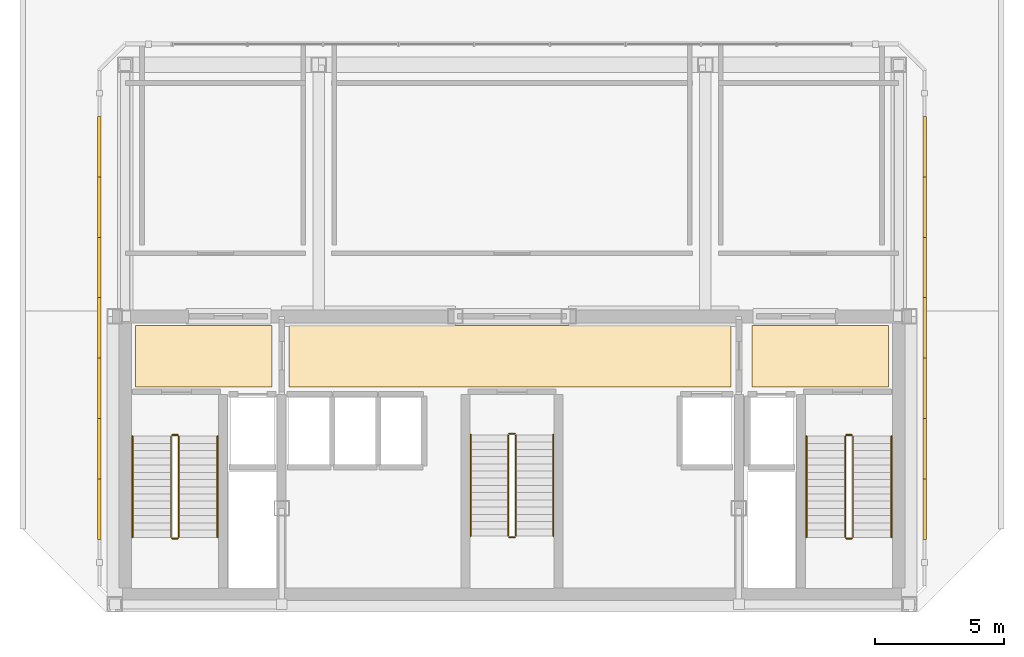
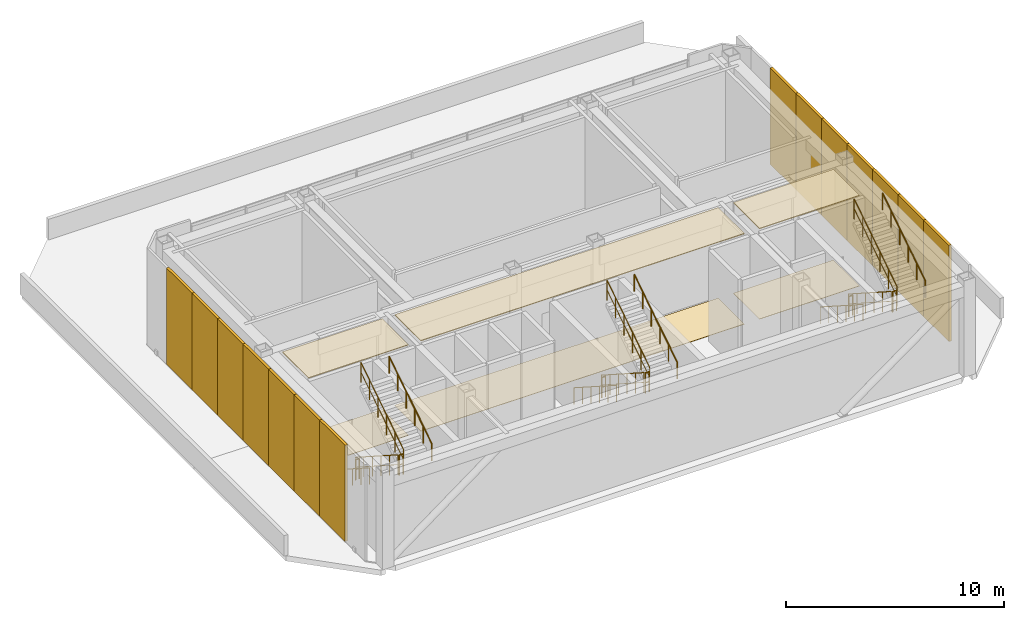
# One storey, part 11 of 11: 18 railings, 14 shading devices, 6 coverings.
"""IFC4 building model written with IfcOpenShell, lengths in metres."""

from ifc_helpers import new_model, si_unit, direction, frame, origin, origin_2d, place, context, subcontext, project, spatial, polyline, rectangle, circle, outline, extrude, material, layer, layer_set, type_object, element, save


model = new_model("IFC4")

# Units and contexts
model_context = context("Model", 3, precision=1e-05, world=origin(), true_north=direction((0.0, 1.0)))
body_context = subcontext(model_context, "Body", "Model", "MODEL_VIEW")
ifc_project = project(units=[si_unit("LENGTHUNIT", "METRE"), si_unit("AREAUNIT", "SQUARE_METRE"), si_unit("VOLUMEUNIT", "CUBIC_METRE"), si_unit("PLANEANGLEUNIT", "RADIAN"), si_unit("MASSUNIT", "GRAM", prefix="KILO")], contexts=[model_context])

# Site, building, storey
site_placement = place(None, origin())
site = spatial("IfcSite", under=ifc_project, at=site_placement, CompositionType="ELEMENT")
building_placement = place(site_placement, origin())
building = spatial("IfcBuilding", under=site, at=building_placement, Name="Ventersveld Concourse Tower", CompositionType="ELEMENT")
storey_placement = place(building_placement, frame((0.0, 0.0, 366.64990234375)))
storey = spatial("IfcBuildingStorey", under=building, at=storey_placement, Name="L90", CompositionType="ELEMENT", Elevation=366.64990234375)

# Coverings
ifc_material_1 = material(Name="Mineral-fibre acoustic ceiling tile", Category="gypsum")
ifc_layer_1 = layer(ifc_material_1, 0.0400390625)
ifc_layer_set_1 = layer_set([ifc_layer_1], Name="Mineral-fibre acoustic ceiling tile")
covering_type_1 = type_object("IfcCoveringType", Name="COV-CEIL-ACOUSTIC", PredefinedType="CEILING", material=ifc_layer_set_1)
covering_1_placement = place(storey_placement, frame((0.0, 0.0, 5.06005859375)))
element("IfcCovering", 1, at=covering_1_placement, inside=storey, type_object=covering_type_1, Name="L90 North Lift Lobby Acoustic Ceiling", PredefinedType="CEILING", context=body_context, shape_type="SweptSolid", body=[
    extrude(outline(polyline([(20.10009765625, 8.699951171875), (37.25, 8.699951171875), (37.25, 11.10009765625), (20.10009765625, 11.10009765625), (20.10009765625, 8.699951171875)])), origin(), (0.0, 0.0, 1.0), 0.0400390625),
])
covering_2_placement = place(storey_placement, frame((0.0, 0.0, 5.06005859375)))
element("IfcCovering", 2, at=covering_2_placement, inside=storey, type_object=covering_type_1, Name="L90 West Firefighting Lobby Acoustic Ceiling", PredefinedType="CEILING", context=body_context, shape_type="SweptSolid", body=[
    extrude(outline(polyline([(14.14990234375, 8.699951171875), (19.449951171875, 8.699951171875), (19.449951171875, 11.10009765625), (14.14990234375, 11.10009765625), (14.14990234375, 8.699951171875)])), origin(), (0.0, 0.0, 1.0), 0.0400390625),
])
covering_3_placement = place(storey_placement, frame((0.0, 0.0, 5.06005859375)))
element("IfcCovering", 3, at=covering_3_placement, inside=storey, type_object=covering_type_1, Name="L90 East Firefighting Lobby Acoustic Ceiling", PredefinedType="CEILING", context=body_context, shape_type="SweptSolid", body=[
    extrude(outline(polyline([(38.050048828125, 8.699951171875), (43.35009765625, 8.699951171875), (43.35009765625, 11.10009765625), (38.050048828125, 11.10009765625), (38.050048828125, 8.699951171875)])), origin(), (0.0, 0.0, 1.0), 0.0400390625),
])
ifc_material_2 = material(Name="Polished Highveld granite terrazzo", Category="masonry")
ifc_layer_2 = layer(ifc_material_2, 0.02001953125)
ifc_layer_set_2 = layer_set([ifc_layer_2], Name="Polished Highveld granite terrazzo")
covering_type_2 = type_object("IfcCoveringType", Name="COV-FLOOR-TERRAZZO", PredefinedType="FLOORING", material=ifc_layer_set_2)
covering_4_placement = place(storey_placement, origin())
element("IfcCovering", 4, at=covering_4_placement, inside=storey, type_object=covering_type_2, Name="L90 North Lift Lobby Terrazzo Flooring", PredefinedType="FLOORING", context=body_context, shape_type="SweptSolid", body=[
    extrude(outline(polyline([(20.10009765625, 8.699951171875), (37.25, 8.699951171875), (37.25, 11.10009765625), (20.10009765625, 11.10009765625), (20.10009765625, 8.699951171875)])), origin(), (0.0, 0.0, 1.0), 0.02001953125),
])
covering_5_placement = place(storey_placement, origin())
element("IfcCovering", 5, at=covering_5_placement, inside=storey, type_object=covering_type_2, Name="L90 West Firefighting Lobby Terrazzo Flooring", PredefinedType="FLOORING", context=body_context, shape_type="SweptSolid", body=[
    extrude(outline(polyline([(14.14990234375, 8.699951171875), (19.449951171875, 8.699951171875), (19.449951171875, 11.10009765625), (14.14990234375, 11.10009765625), (14.14990234375, 8.699951171875)])), origin(), (0.0, 0.0, 1.0), 0.02001953125),
])
covering_6_placement = place(storey_placement, origin())
element("IfcCovering", 6, at=covering_6_placement, inside=storey, type_object=covering_type_2, Name="L90 East Firefighting Lobby Terrazzo Flooring", PredefinedType="FLOORING", context=body_context, shape_type="SweptSolid", body=[
    extrude(outline(polyline([(38.050048828125, 8.699951171875), (43.35009765625, 8.699951171875), (43.35009765625, 11.10009765625), (38.050048828125, 11.10009765625), (38.050048828125, 8.699951171875)])), origin(), (0.0, 0.0, 1.0), 0.02001953125),
])

# Railings
ifc_material_3 = material(Name="Brushed stainless steel 316", Category="steel")
railing_type_1 = type_object("IfcRailingType", Name="GD-BAL-115", PredefinedType="GUARDRAIL", material=ifc_material_3)
railing_1_placement = place(storey_placement, frame((15.530029296875, 6.800048828125, 0.18017578125)))
element("IfcRailing", 7, at=railing_1_placement, inside=storey, type_object=railing_type_1, Name="L90 ST-01 stair guard 1", PredefinedType="GUARDRAIL", context=body_context, shape_type="SweptSolid", body=[
    extrude(circle(Radius=0.02392578125, at=origin_2d()), frame((0.0, 0.0, 1.1259765625), z_axis=(0.0, -0.841186985886, 0.540744352514), x_axis=(1.0, 0.0, 0.0)), (0.0, 0.0, 1.0), 4.660400390625),
    extrude(circle(Radius=0.01611328125, at=origin_2d()), frame((0.0, 0.0, 0.574951171875), z_axis=(0.0, -0.841186985886, 0.540744352514), x_axis=(1.0, 0.0, 0.0)), (0.0, 0.0, 1.0), 4.660400390625),
    extrude(circle(Radius=0.02099609375, at=origin_2d()), origin(), (0.0, 0.0, 1.0), 1.101806640625),
    extrude(circle(Radius=0.02099609375, at=origin_2d()), frame((0.0, -0.783935546875, 0.50390625)), (0.0, 0.0, 1.0), 1.101806640625),
    extrude(circle(Radius=0.02099609375, at=origin_2d()), frame((0.0, -1.568115234375, 1.008056640625)), (0.0, 0.0, 1.0), 1.101806640625),
    extrude(circle(Radius=0.02099609375, at=origin_2d()), frame((0.0, -2.35205078125, 1.511962890625)), (0.0, 0.0, 1.0), 1.101806640625),
    extrude(circle(Radius=0.02099609375, at=origin_2d()), frame((0.0, -3.13623046875, 2.01611328125)), (0.0, 0.0, 1.0), 1.101806640625),
    extrude(circle(Radius=0.02099609375, at=origin_2d()), frame((0.0, -3.920166015625, 2.52001953125)), (0.0, 0.0, 1.0), 1.101806640625),
])
railing_2_placement = place(storey_placement, frame((15.580078125, 2.830078125, 2.7001953125)))
element("IfcRailing", 8, at=railing_2_placement, inside=storey, type_object=railing_type_1, Name="L90 ST-01 stair guard 2", PredefinedType="GUARDRAIL", context=body_context, shape_type="SweptSolid", body=[
    extrude(circle(Radius=0.02392578125, at=origin_2d()), frame((0.0, 0.0, 1.1259765625), z_axis=(1.0, 0.0, 0.0), x_axis=(0.0, 1.0, 0.0)), (0.0, 0.0, 1.0), 0.199951171875),
    extrude(circle(Radius=0.01611328125, at=origin_2d()), frame((0.0, 0.0, 0.574951171875), z_axis=(1.0, 0.0, 0.0), x_axis=(0.0, 1.0, 0.0)), (0.0, 0.0, 1.0), 0.199951171875),
    extrude(circle(Radius=0.02099609375, at=origin_2d()), origin(), (0.0, 0.0, 1.0), 1.101806640625),
    extrude(circle(Radius=0.02099609375, at=origin_2d()), frame((0.199951171875, 0.0, 0.0)), (0.0, 0.0, 1.0), 1.101806640625),
])
railing_3_placement = place(storey_placement, frame((15.830078125, 2.8798828125, 2.880126953125)))
element("IfcRailing", 9, at=railing_3_placement, inside=storey, type_object=railing_type_1, Name="L90 ST-01 stair guard 3", PredefinedType="GUARDRAIL", context=body_context, shape_type="SweptSolid", body=[
    extrude(circle(Radius=0.02392578125, at=origin_2d()), frame((0.0, 0.0, 1.1259765625), z_axis=(0.0, 0.841186985886, 0.540744352514), x_axis=(-1.0, 0.0, 0.0)), (0.0, 0.0, 1.0), 4.660400390625),
    extrude(circle(Radius=0.01611328125, at=origin_2d()), frame((0.0, 0.0, 0.574951171875), z_axis=(0.0, 0.841186985886, 0.540744352514), x_axis=(-1.0, 0.0, 0.0)), (0.0, 0.0, 1.0), 4.660400390625),
    extrude(circle(Radius=0.02099609375, at=origin_2d()), origin(), (0.0, 0.0, 1.0), 1.101806640625),
    extrude(circle(Radius=0.02099609375, at=origin_2d()), frame((0.0, 0.783935546875, 0.50390625)), (0.0, 0.0, 1.0), 1.101806640625),
    extrude(circle(Radius=0.02099609375, at=origin_2d()), frame((0.0, 1.568115234375, 1.008056640625)), (0.0, 0.0, 1.0), 1.101806640625),
    extrude(circle(Radius=0.02099609375, at=origin_2d()), frame((0.0, 2.35205078125, 1.511962890625)), (0.0, 0.0, 1.0), 1.101806640625),
    extrude(circle(Radius=0.02099609375, at=origin_2d()), frame((0.0, 3.13623046875, 2.01611328125)), (0.0, 0.0, 1.0), 1.101806640625),
    extrude(circle(Radius=0.02099609375, at=origin_2d()), frame((0.0, 3.920166015625, 2.52001953125)), (0.0, 0.0, 1.0), 1.101806640625),
])
railing_4_placement = place(storey_placement, frame((15.580078125, 6.85009765625, 0.0)))
element("IfcRailing", 10, at=railing_4_placement, inside=storey, type_object=railing_type_1, Name="L90 ST-01 stair guard 4", PredefinedType="GUARDRAIL", context=body_context, shape_type="SweptSolid", body=[
    extrude(circle(Radius=0.02392578125, at=origin_2d()), frame((0.0, 0.0, 1.1259765625), z_axis=(1.0, 0.0, 0.0), x_axis=(0.0, 1.0, 0.0)), (0.0, 0.0, 1.0), 0.199951171875),
    extrude(circle(Radius=0.01611328125, at=origin_2d()), frame((0.0, 0.0, 0.574951171875), z_axis=(1.0, 0.0, 0.0), x_axis=(0.0, 1.0, 0.0)), (0.0, 0.0, 1.0), 0.199951171875),
    extrude(circle(Radius=0.02099609375, at=origin_2d()), origin(), (0.0, 0.0, 1.0), 1.101806640625),
    extrude(circle(Radius=0.02099609375, at=origin_2d()), frame((0.199951171875, 0.0, 0.0)), (0.0, 0.0, 1.0), 1.101806640625),
])
railing_5_placement = place(storey_placement, frame((41.669921875, 6.800048828125, 0.18017578125)))
element("IfcRailing", 11, at=railing_5_placement, inside=storey, type_object=railing_type_1, Name="L90 ST-02 stair guard 1", PredefinedType="GUARDRAIL", context=body_context, shape_type="SweptSolid", body=[
    extrude(circle(Radius=0.02392578125, at=origin_2d()), frame((0.0, 0.0, 1.1259765625), z_axis=(0.0, -0.841186985886, 0.540744352514), x_axis=(1.0, 0.0, 0.0)), (0.0, 0.0, 1.0), 4.660400390625),
    extrude(circle(Radius=0.01611328125, at=origin_2d()), frame((0.0, 0.0, 0.574951171875), z_axis=(0.0, -0.841186985886, 0.540744352514), x_axis=(1.0, 0.0, 0.0)), (0.0, 0.0, 1.0), 4.660400390625),
    extrude(circle(Radius=0.02099609375, at=origin_2d()), origin(), (0.0, 0.0, 1.0), 1.101806640625),
    extrude(circle(Radius=0.02099609375, at=origin_2d()), frame((0.0, -0.783935546875, 0.50390625)), (0.0, 0.0, 1.0), 1.101806640625),
    extrude(circle(Radius=0.02099609375, at=origin_2d()), frame((0.0, -1.568115234375, 1.008056640625)), (0.0, 0.0, 1.0), 1.101806640625),
    extrude(circle(Radius=0.02099609375, at=origin_2d()), frame((0.0, -2.35205078125, 1.511962890625)), (0.0, 0.0, 1.0), 1.101806640625),
    extrude(circle(Radius=0.02099609375, at=origin_2d()), frame((0.0, -3.13623046875, 2.01611328125)), (0.0, 0.0, 1.0), 1.101806640625),
    extrude(circle(Radius=0.02099609375, at=origin_2d()), frame((0.0, -3.920166015625, 2.52001953125)), (0.0, 0.0, 1.0), 1.101806640625),
])
railing_6_placement = place(storey_placement, frame((41.719970703125, 2.830078125, 2.7001953125)))
element("IfcRailing", 12, at=railing_6_placement, inside=storey, type_object=railing_type_1, Name="L90 ST-02 stair guard 2", PredefinedType="GUARDRAIL", context=body_context, shape_type="SweptSolid", body=[
    extrude(circle(Radius=0.02392578125, at=origin_2d()), frame((0.0, 0.0, 1.1259765625), z_axis=(1.0, 0.0, 0.0), x_axis=(0.0, 1.0, 0.0)), (0.0, 0.0, 1.0), 0.199951171875),
    extrude(circle(Radius=0.01611328125, at=origin_2d()), frame((0.0, 0.0, 0.574951171875), z_axis=(1.0, 0.0, 0.0), x_axis=(0.0, 1.0, 0.0)), (0.0, 0.0, 1.0), 0.199951171875),
    extrude(circle(Radius=0.02099609375, at=origin_2d()), origin(), (0.0, 0.0, 1.0), 1.101806640625),
    extrude(circle(Radius=0.02099609375, at=origin_2d()), frame((0.199951171875, 0.0, 0.0)), (0.0, 0.0, 1.0), 1.101806640625),
])
railing_7_placement = place(storey_placement, frame((41.969970703125, 2.8798828125, 2.880126953125)))
element("IfcRailing", 13, at=railing_7_placement, inside=storey, type_object=railing_type_1, Name="L90 ST-02 stair guard 3", PredefinedType="GUARDRAIL", context=body_context, shape_type="SweptSolid", body=[
    extrude(circle(Radius=0.02392578125, at=origin_2d()), frame((0.0, 0.0, 1.1259765625), z_axis=(0.0, 0.841186985886, 0.540744352514), x_axis=(-1.0, 0.0, 0.0)), (0.0, 0.0, 1.0), 4.660400390625),
    extrude(circle(Radius=0.01611328125, at=origin_2d()), frame((0.0, 0.0, 0.574951171875), z_axis=(0.0, 0.841186985886, 0.540744352514), x_axis=(-1.0, 0.0, 0.0)), (0.0, 0.0, 1.0), 4.660400390625),
    extrude(circle(Radius=0.02099609375, at=origin_2d()), origin(), (0.0, 0.0, 1.0), 1.101806640625),
    extrude(circle(Radius=0.02099609375, at=origin_2d()), frame((0.0, 0.783935546875, 0.50390625)), (0.0, 0.0, 1.0), 1.101806640625),
    extrude(circle(Radius=0.02099609375, at=origin_2d()), frame((0.0, 1.568115234375, 1.008056640625)), (0.0, 0.0, 1.0), 1.101806640625),
    extrude(circle(Radius=0.02099609375, at=origin_2d()), frame((0.0, 2.35205078125, 1.511962890625)), (0.0, 0.0, 1.0), 1.101806640625),
    extrude(circle(Radius=0.02099609375, at=origin_2d()), frame((0.0, 3.13623046875, 2.01611328125)), (0.0, 0.0, 1.0), 1.101806640625),
    extrude(circle(Radius=0.02099609375, at=origin_2d()), frame((0.0, 3.920166015625, 2.52001953125)), (0.0, 0.0, 1.0), 1.101806640625),
])
railing_8_placement = place(storey_placement, frame((41.719970703125, 6.85009765625, 0.0)))
element("IfcRailing", 14, at=railing_8_placement, inside=storey, type_object=railing_type_1, Name="L90 ST-02 stair guard 4", PredefinedType="GUARDRAIL", context=body_context, shape_type="SweptSolid", body=[
    extrude(circle(Radius=0.02392578125, at=origin_2d()), frame((0.0, 0.0, 1.1259765625), z_axis=(1.0, 0.0, 0.0), x_axis=(0.0, 1.0, 0.0)), (0.0, 0.0, 1.0), 0.199951171875),
    extrude(circle(Radius=0.01611328125, at=origin_2d()), frame((0.0, 0.0, 0.574951171875), z_axis=(1.0, 0.0, 0.0), x_axis=(0.0, 1.0, 0.0)), (0.0, 0.0, 1.0), 0.199951171875),
    extrude(circle(Radius=0.02099609375, at=origin_2d()), origin(), (0.0, 0.0, 1.0), 1.101806640625),
    extrude(circle(Radius=0.02099609375, at=origin_2d()), frame((0.199951171875, 0.0, 0.0)), (0.0, 0.0, 1.0), 1.101806640625),
])
railing_9_placement = place(storey_placement, frame((28.60009765625, 6.85009765625, 0.18017578125)))
element("IfcRailing", 15, at=railing_9_placement, inside=storey, type_object=railing_type_1, Name="L90 ST-03 stair guard 1", PredefinedType="GUARDRAIL", context=body_context, shape_type="SweptSolid", body=[
    extrude(circle(Radius=0.02392578125, at=origin_2d()), frame((0.0, 0.0, 1.1259765625), z_axis=(0.0, -0.841186985886, 0.540744352514), x_axis=(1.0, 0.0, 0.0)), (0.0, 0.0, 1.0), 4.660400390625),
    extrude(circle(Radius=0.01611328125, at=origin_2d()), frame((0.0, 0.0, 0.574951171875), z_axis=(0.0, -0.841186985886, 0.540744352514), x_axis=(1.0, 0.0, 0.0)), (0.0, 0.0, 1.0), 4.660400390625),
    extrude(circle(Radius=0.02099609375, at=origin_2d()), origin(), (0.0, 0.0, 1.0), 1.101806640625),
    extrude(circle(Radius=0.02099609375, at=origin_2d()), frame((0.0, -0.783935546875, 0.50390625)), (0.0, 0.0, 1.0), 1.101806640625),
    extrude(circle(Radius=0.02099609375, at=origin_2d()), frame((0.0, -1.568115234375, 1.008056640625)), (0.0, 0.0, 1.0), 1.101806640625),
    extrude(circle(Radius=0.02099609375, at=origin_2d()), frame((0.0, -2.35205078125, 1.511962890625)), (0.0, 0.0, 1.0), 1.101806640625),
    extrude(circle(Radius=0.02099609375, at=origin_2d()), frame((0.0, -3.13623046875, 2.01611328125)), (0.0, 0.0, 1.0), 1.101806640625),
    extrude(circle(Radius=0.02099609375, at=origin_2d()), frame((0.0, -3.920166015625, 2.52001953125)), (0.0, 0.0, 1.0), 1.101806640625),
])
railing_10_placement = place(storey_placement, frame((28.64990234375, 2.8798828125, 2.7001953125)))
element("IfcRailing", 16, at=railing_10_placement, inside=storey, type_object=railing_type_1, Name="L90 ST-03 stair guard 2", PredefinedType="GUARDRAIL", context=body_context, shape_type="SweptSolid", body=[
    extrude(circle(Radius=0.02392578125, at=origin_2d()), frame((0.0, 0.0, 1.1259765625), z_axis=(1.0, 0.0, 0.0), x_axis=(0.0, 1.0, 0.0)), (0.0, 0.0, 1.0), 0.2001953125),
    extrude(circle(Radius=0.01611328125, at=origin_2d()), frame((0.0, 0.0, 0.574951171875), z_axis=(1.0, 0.0, 0.0), x_axis=(0.0, 1.0, 0.0)), (0.0, 0.0, 1.0), 0.2001953125),
    extrude(circle(Radius=0.02099609375, at=origin_2d()), origin(), (0.0, 0.0, 1.0), 1.101806640625),
    extrude(circle(Radius=0.02099609375, at=origin_2d()), frame((0.2001953125, 0.0, 0.0)), (0.0, 0.0, 1.0), 1.101806640625),
])
railing_11_placement = place(storey_placement, frame((28.89990234375, 2.929931640625, 2.880126953125)))
element("IfcRailing", 17, at=railing_11_placement, inside=storey, type_object=railing_type_1, Name="L90 ST-03 stair guard 3", PredefinedType="GUARDRAIL", context=body_context, shape_type="SweptSolid", body=[
    extrude(circle(Radius=0.02392578125, at=origin_2d()), frame((0.0, 0.0, 1.1259765625), z_axis=(0.0, 0.841186985886, 0.540744352514), x_axis=(-1.0, 0.0, 0.0)), (0.0, 0.0, 1.0), 4.660400390625),
    extrude(circle(Radius=0.01611328125, at=origin_2d()), frame((0.0, 0.0, 0.574951171875), z_axis=(0.0, 0.841186985886, 0.540744352514), x_axis=(-1.0, 0.0, 0.0)), (0.0, 0.0, 1.0), 4.660400390625),
    extrude(circle(Radius=0.02099609375, at=origin_2d()), origin(), (0.0, 0.0, 1.0), 1.101806640625),
    extrude(circle(Radius=0.02099609375, at=origin_2d()), frame((0.0, 0.783935546875, 0.50390625)), (0.0, 0.0, 1.0), 1.101806640625),
    extrude(circle(Radius=0.02099609375, at=origin_2d()), frame((0.0, 1.568115234375, 1.008056640625)), (0.0, 0.0, 1.0), 1.101806640625),
    extrude(circle(Radius=0.02099609375, at=origin_2d()), frame((0.0, 2.35205078125, 1.511962890625)), (0.0, 0.0, 1.0), 1.101806640625),
    extrude(circle(Radius=0.02099609375, at=origin_2d()), frame((0.0, 3.13623046875, 2.01611328125)), (0.0, 0.0, 1.0), 1.101806640625),
    extrude(circle(Radius=0.02099609375, at=origin_2d()), frame((0.0, 3.920166015625, 2.52001953125)), (0.0, 0.0, 1.0), 1.101806640625),
])
railing_12_placement = place(storey_placement, frame((28.64990234375, 6.89990234375, 0.0)))
element("IfcRailing", 18, at=railing_12_placement, inside=storey, type_object=railing_type_1, Name="L90 ST-03 stair guard 4", PredefinedType="GUARDRAIL", context=body_context, shape_type="SweptSolid", body=[
    extrude(circle(Radius=0.02392578125, at=origin_2d()), frame((0.0, 0.0, 1.1259765625), z_axis=(1.0, 0.0, 0.0), x_axis=(0.0, 1.0, 0.0)), (0.0, 0.0, 1.0), 0.2001953125),
    extrude(circle(Radius=0.01611328125, at=origin_2d()), frame((0.0, 0.0, 0.574951171875), z_axis=(1.0, 0.0, 0.0), x_axis=(0.0, 1.0, 0.0)), (0.0, 0.0, 1.0), 0.2001953125),
    extrude(circle(Radius=0.02099609375, at=origin_2d()), origin(), (0.0, 0.0, 1.0), 1.101806640625),
    extrude(circle(Radius=0.02099609375, at=origin_2d()), frame((0.2001953125, 0.0, 0.0)), (0.0, 0.0, 1.0), 1.101806640625),
])
railing_type_2 = type_object("IfcRailingType", Name="HR-RMP-095", PredefinedType="HANDRAIL", material=ifc_material_3)
railing_13_placement = place(storey_placement, frame((14.030029296875, 6.800048828125, 0.18017578125)))
element("IfcRailing", 19, at=railing_13_placement, inside=storey, type_object=railing_type_2, Name="L90 ST-01 stair handrail 1", PredefinedType="HANDRAIL", context=body_context, shape_type="SweptSolid", body=[
    extrude(circle(Radius=0.02392578125, at=origin_2d()), frame((0.0, 0.0, 0.92578125), z_axis=(0.0, -0.841186985886, 0.540744352514), x_axis=(1.0, 0.0, 0.0)), (0.0, 0.0, 1.0), 4.660400390625),
    extrude(circle(Radius=0.02099609375, at=origin_2d()), origin(), (0.0, 0.0, 1.0), 0.90185546875),
    extrude(circle(Radius=0.02099609375, at=origin_2d()), frame((0.0, -0.783935546875, 0.50390625)), (0.0, 0.0, 1.0), 0.90185546875),
    extrude(circle(Radius=0.02099609375, at=origin_2d()), frame((0.0, -1.568115234375, 1.008056640625)), (0.0, 0.0, 1.0), 0.90185546875),
    extrude(circle(Radius=0.02099609375, at=origin_2d()), frame((0.0, -2.35205078125, 1.511962890625)), (0.0, 0.0, 1.0), 0.90185546875),
    extrude(circle(Radius=0.02099609375, at=origin_2d()), frame((0.0, -3.13623046875, 2.01611328125)), (0.0, 0.0, 1.0), 0.90185546875),
    extrude(circle(Radius=0.02099609375, at=origin_2d()), frame((0.0, -3.920166015625, 2.52001953125)), (0.0, 0.0, 1.0), 0.90185546875),
])
railing_14_placement = place(storey_placement, frame((17.330078125, 2.8798828125, 2.880126953125)))
element("IfcRailing", 20, at=railing_14_placement, inside=storey, type_object=railing_type_2, Name="L90 ST-01 stair handrail 2", PredefinedType="HANDRAIL", context=body_context, shape_type="SweptSolid", body=[
    extrude(circle(Radius=0.02392578125, at=origin_2d()), frame((0.0, 0.0, 0.92578125), z_axis=(0.0, 0.841186985886, 0.540744352514), x_axis=(-1.0, 0.0, 0.0)), (0.0, 0.0, 1.0), 4.660400390625),
    extrude(circle(Radius=0.02099609375, at=origin_2d()), origin(), (0.0, 0.0, 1.0), 0.90185546875),
    extrude(circle(Radius=0.02099609375, at=origin_2d()), frame((0.0, 0.783935546875, 0.50390625)), (0.0, 0.0, 1.0), 0.90185546875),
    extrude(circle(Radius=0.02099609375, at=origin_2d()), frame((0.0, 1.568115234375, 1.008056640625)), (0.0, 0.0, 1.0), 0.90185546875),
    extrude(circle(Radius=0.02099609375, at=origin_2d()), frame((0.0, 2.35205078125, 1.511962890625)), (0.0, 0.0, 1.0), 0.90185546875),
    extrude(circle(Radius=0.02099609375, at=origin_2d()), frame((0.0, 3.13623046875, 2.01611328125)), (0.0, 0.0, 1.0), 0.90185546875),
    extrude(circle(Radius=0.02099609375, at=origin_2d()), frame((0.0, 3.920166015625, 2.52001953125)), (0.0, 0.0, 1.0), 0.90185546875),
])
railing_15_placement = place(storey_placement, frame((40.169921875, 6.800048828125, 0.18017578125)))
element("IfcRailing", 21, at=railing_15_placement, inside=storey, type_object=railing_type_2, Name="L90 ST-02 stair handrail 1", PredefinedType="HANDRAIL", context=body_context, shape_type="SweptSolid", body=[
    extrude(circle(Radius=0.02392578125, at=origin_2d()), frame((0.0, 0.0, 0.92578125), z_axis=(0.0, -0.841186985886, 0.540744352514), x_axis=(1.0, 0.0, 0.0)), (0.0, 0.0, 1.0), 4.660400390625),
    extrude(circle(Radius=0.02099609375, at=origin_2d()), origin(), (0.0, 0.0, 1.0), 0.90185546875),
    extrude(circle(Radius=0.02099609375, at=origin_2d()), frame((0.0, -0.783935546875, 0.50390625)), (0.0, 0.0, 1.0), 0.90185546875),
    extrude(circle(Radius=0.02099609375, at=origin_2d()), frame((0.0, -1.568115234375, 1.008056640625)), (0.0, 0.0, 1.0), 0.90185546875),
    extrude(circle(Radius=0.02099609375, at=origin_2d()), frame((0.0, -2.35205078125, 1.511962890625)), (0.0, 0.0, 1.0), 0.90185546875),
    extrude(circle(Radius=0.02099609375, at=origin_2d()), frame((0.0, -3.13623046875, 2.01611328125)), (0.0, 0.0, 1.0), 0.90185546875),
    extrude(circle(Radius=0.02099609375, at=origin_2d()), frame((0.0, -3.920166015625, 2.52001953125)), (0.0, 0.0, 1.0), 0.90185546875),
])
railing_16_placement = place(storey_placement, frame((43.469970703125, 2.8798828125, 2.880126953125)))
element("IfcRailing", 22, at=railing_16_placement, inside=storey, type_object=railing_type_2, Name="L90 ST-02 stair handrail 2", PredefinedType="HANDRAIL", context=body_context, shape_type="SweptSolid", body=[
    extrude(circle(Radius=0.02392578125, at=origin_2d()), frame((0.0, 0.0, 0.92578125), z_axis=(0.0, 0.841186985886, 0.540744352514), x_axis=(-1.0, 0.0, 0.0)), (0.0, 0.0, 1.0), 4.660400390625),
    extrude(circle(Radius=0.02099609375, at=origin_2d()), origin(), (0.0, 0.0, 1.0), 0.90185546875),
    extrude(circle(Radius=0.02099609375, at=origin_2d()), frame((0.0, 0.783935546875, 0.50390625)), (0.0, 0.0, 1.0), 0.90185546875),
    extrude(circle(Radius=0.02099609375, at=origin_2d()), frame((0.0, 1.568115234375, 1.008056640625)), (0.0, 0.0, 1.0), 0.90185546875),
    extrude(circle(Radius=0.02099609375, at=origin_2d()), frame((0.0, 2.35205078125, 1.511962890625)), (0.0, 0.0, 1.0), 0.90185546875),
    extrude(circle(Radius=0.02099609375, at=origin_2d()), frame((0.0, 3.13623046875, 2.01611328125)), (0.0, 0.0, 1.0), 0.90185546875),
    extrude(circle(Radius=0.02099609375, at=origin_2d()), frame((0.0, 3.920166015625, 2.52001953125)), (0.0, 0.0, 1.0), 0.90185546875),
])
railing_17_placement = place(storey_placement, frame((27.14990234375, 6.85009765625, 0.18017578125)))
element("IfcRailing", 23, at=railing_17_placement, inside=storey, type_object=railing_type_2, Name="L90 ST-03 stair handrail 1", PredefinedType="HANDRAIL", context=body_context, shape_type="SweptSolid", body=[
    extrude(circle(Radius=0.02392578125, at=origin_2d()), frame((0.0, 0.0, 0.92578125), z_axis=(0.0, -0.841186985886, 0.540744352514), x_axis=(1.0, 0.0, 0.0)), (0.0, 0.0, 1.0), 4.660400390625),
    extrude(circle(Radius=0.02099609375, at=origin_2d()), origin(), (0.0, 0.0, 1.0), 0.90185546875),
    extrude(circle(Radius=0.02099609375, at=origin_2d()), frame((0.0, -0.783935546875, 0.50390625)), (0.0, 0.0, 1.0), 0.90185546875),
    extrude(circle(Radius=0.02099609375, at=origin_2d()), frame((0.0, -1.568115234375, 1.008056640625)), (0.0, 0.0, 1.0), 0.90185546875),
    extrude(circle(Radius=0.02099609375, at=origin_2d()), frame((0.0, -2.35205078125, 1.511962890625)), (0.0, 0.0, 1.0), 0.90185546875),
    extrude(circle(Radius=0.02099609375, at=origin_2d()), frame((0.0, -3.13623046875, 2.01611328125)), (0.0, 0.0, 1.0), 0.90185546875),
    extrude(circle(Radius=0.02099609375, at=origin_2d()), frame((0.0, -3.920166015625, 2.52001953125)), (0.0, 0.0, 1.0), 0.90185546875),
])
railing_18_placement = place(storey_placement, frame((30.35009765625, 2.929931640625, 2.880126953125)))
element("IfcRailing", 24, at=railing_18_placement, inside=storey, type_object=railing_type_2, Name="L90 ST-03 stair handrail 2", PredefinedType="HANDRAIL", context=body_context, shape_type="SweptSolid", body=[
    extrude(circle(Radius=0.02392578125, at=origin_2d()), frame((0.0, 0.0, 0.92578125), z_axis=(0.0, 0.841186985886, 0.540744352514), x_axis=(-1.0, 0.0, 0.0)), (0.0, 0.0, 1.0), 4.660400390625),
    extrude(circle(Radius=0.02099609375, at=origin_2d()), origin(), (0.0, 0.0, 1.0), 0.90185546875),
    extrude(circle(Radius=0.02099609375, at=origin_2d()), frame((0.0, 0.783935546875, 0.50390625)), (0.0, 0.0, 1.0), 0.90185546875),
    extrude(circle(Radius=0.02099609375, at=origin_2d()), frame((0.0, 1.568115234375, 1.008056640625)), (0.0, 0.0, 1.0), 0.90185546875),
    extrude(circle(Radius=0.02099609375, at=origin_2d()), frame((0.0, 2.35205078125, 1.511962890625)), (0.0, 0.0, 1.0), 0.90185546875),
    extrude(circle(Radius=0.02099609375, at=origin_2d()), frame((0.0, 3.13623046875, 2.01611328125)), (0.0, 0.0, 1.0), 0.90185546875),
    extrude(circle(Radius=0.02099609375, at=origin_2d()), frame((0.0, 3.920166015625, 2.52001953125)), (0.0, 0.0, 1.0), 0.90185546875),
])

# Shading devices
ifc_material_4 = material(Name="Anodised aluminium EN AW-6063-T6", Category="aluminium")
shading_device_type = type_object("IfcShadingDeviceType", Name="SHD-SCREEN-CROWN", PredefinedType="JALOUSIE", material=ifc_material_4)
for number, where, z_axis, x_axis, name in (
    (25, (44.75, 3.971435546875, 0.000244140625), (0.0, 0.0, 1.0), (0.0, 1.0, 0.0), "L90 Crown Acoustic Louvre SCREEN E3-C1"),
    (26, (44.75, 6.314453125, 0.000244140625), (0.0, 0.0, 1.0), (0.0, 1.0, 0.0), "L90 Crown Acoustic Louvre SCREEN E3-C2"),
    (27, (44.75, 8.6572265625, 0.000244140625), (0.0, 0.0, 1.0), (0.0, 1.0, 0.0), "L90 Crown Acoustic Louvre SCREEN E3-C3"),
    (28, (44.75, 11.000244140625, 0.000244140625), (0.0, 0.0, 1.0), (0.0, 1.0, 0.0), "L90 Crown Acoustic Louvre SCREEN E3-C4"),
    (29, (44.75, 13.343017578125, 0.000244140625), (0.0, 0.0, 1.0), (0.0, 1.0, 0.0), "L90 Crown Acoustic Louvre SCREEN E3-C5"),
    (30, (44.75, 15.68603515625, 0.000244140625), (0.0, 0.0, 1.0), (0.0, 1.0, 0.0), "L90 Crown Acoustic Louvre SCREEN E3-C6"),
    (31, (44.75, 18.02880859375, 0.000244140625), (0.0, 0.0, 1.0), (0.0, 1.0, 0.0), "L90 Crown Acoustic Louvre SCREEN E3-C7"),
    (32, (12.75, 18.028564453125, 0.000244140625), (0.0, 0.0, 1.0), (0.0, -1.0, 0.0), "L90 Crown Acoustic Louvre SCREEN E7-C1"),
    (33, (12.75, 15.685546875, 0.000244140625), (0.0, 0.0, 1.0), (0.0, -1.0, 0.0), "L90 Crown Acoustic Louvre SCREEN E7-C2"),
    (34, (12.75, 13.3427734375, 0.000244140625), (0.0, 0.0, 1.0), (0.0, -1.0, 0.0), "L90 Crown Acoustic Louvre SCREEN E7-C3"),
    (35, (12.75, 10.999755859375, 0.000244140625), (0.0, 0.0, 1.0), (0.0, -1.0, 0.0), "L90 Crown Acoustic Louvre SCREEN E7-C4"),
    (36, (12.75, 8.656982421875, 0.000244140625), (0.0, 0.0, 1.0), (0.0, -1.0, 0.0), "L90 Crown Acoustic Louvre SCREEN E7-C5"),
    (37, (12.75, 6.31396484375, 0.000244140625), (0.0, 0.0, 1.0), (0.0, -1.0, 0.0), "L90 Crown Acoustic Louvre SCREEN E7-C6"),
    (38, (12.75, 3.97119140625, 0.000244140625), (0.0, 0.0, 1.0), (0.0, -1.0, 0.0), "L90 Crown Acoustic Louvre SCREEN E7-C7"),
):
    element("IfcShadingDevice", number, at=place(storey_placement, frame(where, z_axis=z_axis, x_axis=x_axis)), inside=storey, type_object=shading_device_type, Name=name, PredefinedType="JALOUSIE", context=body_context, shape_type="SweptSolid", body=[
        extrude(rectangle(XDim=2.343017578125, YDim=0.139892578125, at=origin_2d()), origin(), (0.0, 0.0, 1.0), 5.39990234375),
    ])

save(model, "model.ifc")
